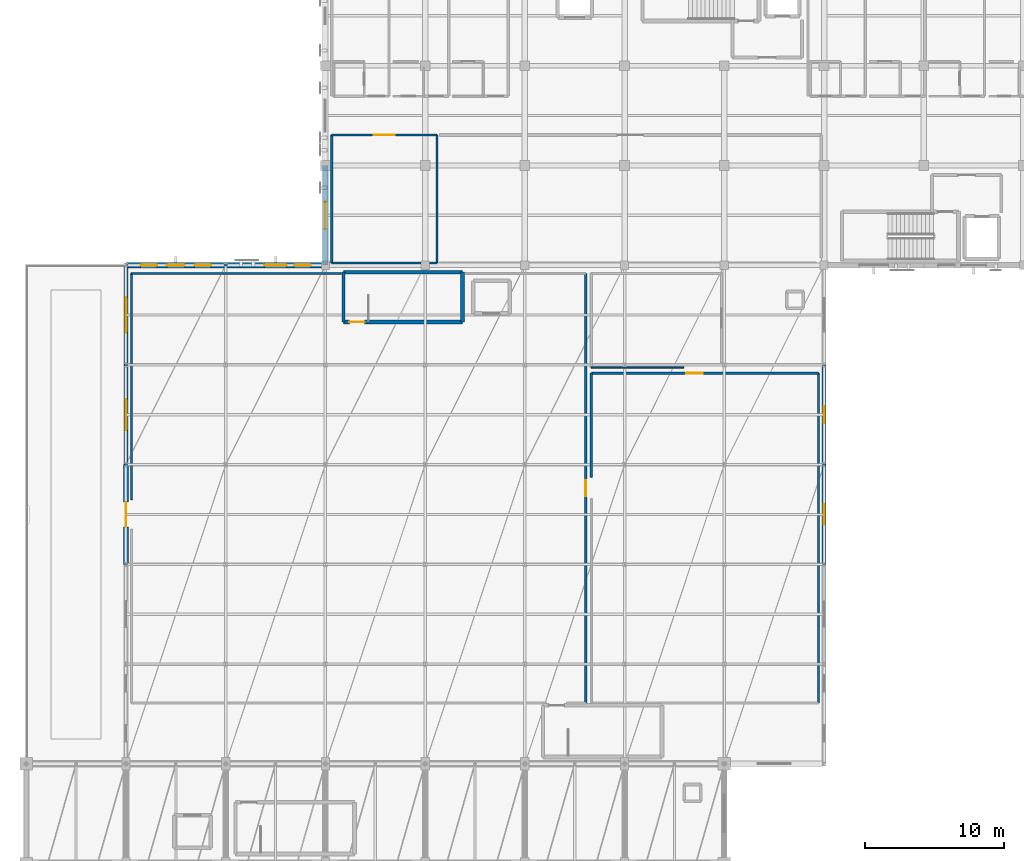
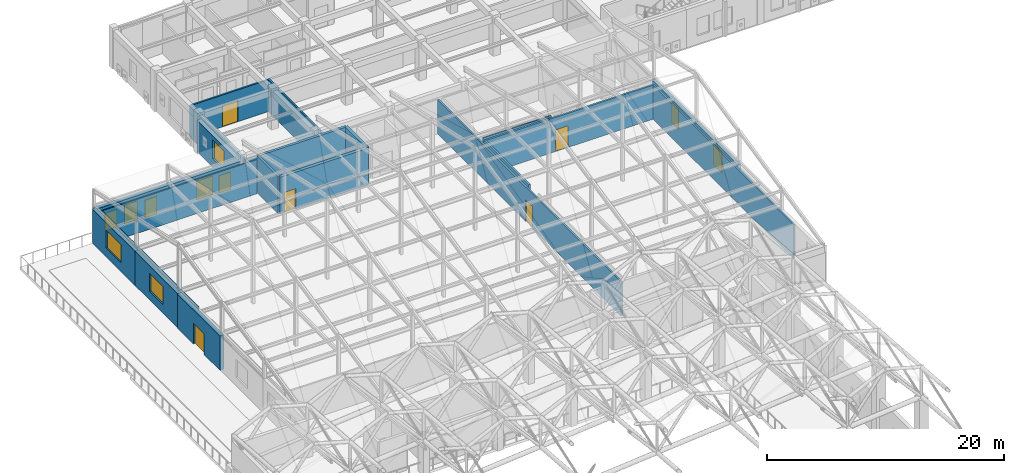
# One storey, part 89 of 113: 23 walls, 10 windows, 5 doors, 15 openings.
"""IFC4 building model written with IfcOpenShell, lengths in metres."""

from ifc_helpers import new_model, si_unit, direction, frame, frame_2d, origin, place, context, subcontext, project, spatial, rectangle, extrude, material, layer, layer_set, type_object, element, fill, save


model = new_model("IFC4")

# Units and contexts
model_context = context("Model", 3, precision=1e-05, world=origin(), true_north=direction((0.0, 1.0)))
body_context = subcontext(model_context, "Body", "Model", "MODEL_VIEW")
ifc_project = project(units=[si_unit("LENGTHUNIT", "METRE"), si_unit("AREAUNIT", "SQUARE_METRE"), si_unit("VOLUMEUNIT", "CUBIC_METRE"), si_unit("PLANEANGLEUNIT", "RADIAN"), si_unit("MASSUNIT", "GRAM", prefix="KILO")], contexts=[model_context])

# Site, building, storey
site_placement = place(None, origin())
site = spatial("IfcSite", under=ifc_project, at=site_placement, CompositionType="ELEMENT")
building_placement = place(site_placement, origin())
building = spatial("IfcBuilding", under=site, at=building_placement, Name="Carrowvane Square Congress Hotel", CompositionType="ELEMENT")
storey_placement = place(building_placement, frame((0.0, 0.0, 15.0)))
storey = spatial("IfcBuildingStorey", under=building, at=storey_placement, Name="L03", CompositionType="ELEMENT", Elevation=15.0)

# Wall, opening, door
ifc_material_1 = material(Name="Portland limestone cladding", Category="masonry")
ifc_layer_1 = layer(ifc_material_1, 0.3798828125)
ifc_layer_set_1 = layer_set([ifc_layer_1], Name="Portland limestone cladding")
wall_type_1 = type_object("IfcWallType", Name="WL-EXT-LS380", PredefinedType="STANDARD", material=ifc_layer_set_1)
wall_1_placement = place(storey_placement, frame((18.800048828125, 70.199951171875, 0.0), z_axis=(0.0, 0.0, 1.0), x_axis=(0.0, 1.0, 0.0)))
wall_1 = element("IfcWall", 1, at=wall_1_placement, inside=storey, type_object=wall_type_1, Name="L03 terrace access wall 346", PredefinedType="STANDARD", context=body_context, shape_type="SweptSolid", body=[
    extrude(rectangle(XDim=7.199951171875, YDim=0.3798828125, at=frame_2d((3.60009765625, 0.0))), origin(), (0.0, 0.0, 1.0), 3.515625),
])
opening_1_placement = place(wall_1_placement, frame((2.699951171875, 0.0, 0.0)))
opening_1 = element("IfcOpeningElement", 2, at=opening_1_placement, cuts=wall_1, Name="Opening TD-1", PredefinedType="OPENING", context=body_context, shape_type="SweptSolid", body=[
    extrude(rectangle(XDim=1.800048828125, YDim=2.14990234375, at=frame_2d((0.89990234375, 1.074951171875))), frame((0.0, 0.199951171875, 0.0), z_axis=(0.0, -1.0, 0.0), x_axis=(1.0, 0.0, 0.0)), (0.0, 0.0, 1.0), 0.39990234375),
])
ifc_material_2 = material(Name="Anodised aluminium", Category="aluminium")
door_type_1 = type_object("IfcDoorType", Name="DR-TER-1800", OperationType="DOUBLE_DOOR_SINGLE_SWING", PredefinedType="DOOR", material=ifc_material_2)
door_1_placement = place(opening_1_placement, origin())
door_1 = element("IfcDoor", 3, at=door_1_placement, inside=storey, type_object=door_type_1, Name="L03 terrace access door to TER-V4-L03", OperationType="DOUBLE_DOOR_SINGLE_SWING", OverallHeight=2.14990234375, OverallWidth=1.800048828125, PredefinedType="DOOR", context=body_context, shape_type="SweptSolid", body=[
    extrude(rectangle(XDim=1.800048828125, YDim=2.14990234375, at=frame_2d((0.89990234375, 1.074951171875))), frame((0.0, 0.02490234375, 0.0), z_axis=(0.0, -1.0, 0.0), x_axis=(1.0, 0.0, 0.0)), (0.0, 0.0, 1.0), 0.050048828125),
])
fill(opening_1, door_1)

# Wall, openings, windows
ifc_material_3 = material(Name="Glazed terracotta rainscreen", Category="masonry")
ifc_layer_2 = layer(ifc_material_3, 0.39990234375)
ifc_layer_set_2 = layer_set([ifc_layer_2], Name="Glazed terracotta rainscreen")
wall_type_2 = type_object("IfcWallType", Name="WL-EXT-TC400", PredefinedType="STANDARD", material=ifc_layer_set_2)
wall_2_placement = place(storey_placement, frame((18.800048828125, 91.800048828125, 0.0), z_axis=(0.0, 0.0, 1.0), x_axis=(1.0, 0.0, 0.0)))
wall_2 = element("IfcWall", 4, at=wall_2_placement, inside=storey, type_object=wall_type_2, Name="L03 exterior facade wall 349", PredefinedType="STANDARD", context=body_context, shape_type="SweptSolid", body=[
    extrude(rectangle(XDim=7.199951171875, YDim=0.39990234375, at=frame_2d((3.60009765625, 0.0))), origin(), (0.0, 0.0, 1.0), 3.515625),
])
opening_2_placement = place(wall_2_placement, frame((2.949951171875, 0.0, 0.89990234375)))
opening_2 = element("IfcOpeningElement", 5, at=opening_2_placement, cuts=wall_2, Name="Opening W-29", PredefinedType="OPENING", context=body_context, shape_type="SweptSolid", body=[
    extrude(rectangle(XDim=1.300048828125, YDim=1.949951171875, at=frame_2d((0.64990234375, 0.97509765625))), frame((0.0, 0.2099609375, 0.0), z_axis=(0.0, -1.0, 0.0), x_axis=(1.0, 0.0, 0.0)), (0.0, 0.0, 1.0), 0.419921875),
])
opening_3_placement = place(wall_2_placement, frame((1.050048828125, 0.0, 0.85009765625)))
opening_3 = element("IfcOpeningElement", 6, at=opening_3_placement, cuts=wall_2, Name="Opening W-01", PredefinedType="OPENING", context=body_context, shape_type="SweptSolid", body=[
    extrude(rectangle(XDim=1.199951171875, YDim=1.800048828125, at=frame_2d((0.60009765625, 0.89990234375))), frame((0.0, 0.2099609375, 0.0), z_axis=(0.0, -1.0, 0.0), x_axis=(1.0, 0.0, 0.0)), (0.0, 0.0, 1.0), 0.419921875),
])
opening_4_placement = place(wall_2_placement, frame((4.949951171875, 0.0, 0.85009765625)))
opening_4 = element("IfcOpeningElement", 7, at=opening_4_placement, cuts=wall_2, Name="Opening W-01", PredefinedType="OPENING", context=body_context, shape_type="SweptSolid", body=[
    extrude(rectangle(XDim=1.199951171875, YDim=1.800048828125, at=frame_2d((0.60009765625, 0.89990234375))), frame((0.0, 0.2099609375, 0.0), z_axis=(0.0, -1.0, 0.0), x_axis=(1.0, 0.0, 0.0)), (0.0, 0.0, 1.0), 0.419921875),
])
ifc_material_4 = material(Name="Double-glazed low-E glass", Category="glass")
window_type_1 = type_object("IfcWindowType", Name="WIN-01", PartitioningType="SINGLE_PANEL", PredefinedType="WINDOW", material=ifc_material_4)
window_1_placement = place(opening_3_placement, origin())
window_1 = element("IfcWindow", 8, at=window_1_placement, inside=storey, type_object=window_type_1, Name="L03 guest bedroom window 170", OverallHeight=1.800048828125, OverallWidth=1.199951171875, PartitioningType="SINGLE_PANEL", PredefinedType="WINDOW", context=body_context, shape_type="SweptSolid", body=[
    extrude(rectangle(XDim=1.199951171875, YDim=1.800048828125, at=frame_2d((0.60009765625, 0.89990234375))), frame((0.0, 0.030029296875, 0.0), z_axis=(0.0, -1.0, 0.0), x_axis=(1.0, 0.0, 0.0)), (0.0, 0.0, 1.0), 0.06005859375),
])
fill(opening_3, window_1)
window_2_placement = place(opening_4_placement, origin())
window_2 = element("IfcWindow", 9, at=window_2_placement, inside=storey, type_object=window_type_1, Name="L03 guest bedroom window 171", OverallHeight=1.800048828125, OverallWidth=1.199951171875, PartitioningType="SINGLE_PANEL", PredefinedType="WINDOW", context=body_context, shape_type="SweptSolid", body=[
    extrude(rectangle(XDim=1.199951171875, YDim=1.800048828125, at=frame_2d((0.60009765625, 0.89990234375))), frame((0.0, 0.030029296875, 0.0), z_axis=(0.0, -1.0, 0.0), x_axis=(1.0, 0.0, 0.0)), (0.0, 0.0, 1.0), 0.06005859375),
])
fill(opening_4, window_2)
ifc_material_5 = material(Name="Double-glazed low-E glass", Category="glass")
window_type_2 = type_object("IfcWindowType", Name="WIN-29", PartitioningType="SINGLE_PANEL", PredefinedType="WINDOW", material=ifc_material_5)
window_3_placement = place(opening_2_placement, origin())
window_3 = element("IfcWindow", 10, at=window_3_placement, inside=storey, type_object=window_type_2, Name="L03 facade window 169", OverallHeight=1.949951171875, OverallWidth=1.300048828125, PartitioningType="SINGLE_PANEL", PredefinedType="WINDOW", context=body_context, shape_type="SweptSolid", body=[
    extrude(rectangle(XDim=1.300048828125, YDim=1.949951171875, at=frame_2d((0.64990234375, 0.97509765625))), frame((0.0, 0.030029296875, 0.0), z_axis=(0.0, -1.0, 0.0), x_axis=(1.0, 0.0, 0.0)), (0.0, 0.0, 1.0), 0.06005859375),
])
fill(opening_2, window_3)

wall_3_placement = place(storey_placement, frame((26.0, 91.800048828125, 0.0), z_axis=(0.0, 0.0, 1.0), x_axis=(1.0, 0.0, 0.0)))
wall_3 = element("IfcWall", 11, at=wall_3_placement, inside=storey, type_object=wall_type_2, Name="L03 exterior facade wall 350", PredefinedType="STANDARD", context=body_context, shape_type="SweptSolid", body=[
    extrude(rectangle(XDim=7.199951171875, YDim=0.39990234375, at=frame_2d((3.60009765625, 0.0))), origin(), (0.0, 0.0, 1.0), 3.515625),
])
opening_5_placement = place(wall_3_placement, frame((2.800048828125, 0.0, 0.89990234375)))
opening_5 = element("IfcOpeningElement", 12, at=opening_5_placement, cuts=wall_3, Name="Opening W-30", PredefinedType="OPENING", context=body_context, shape_type="SweptSolid", body=[
    extrude(rectangle(XDim=1.60009765625, YDim=1.949951171875, at=frame_2d((0.800048828125, 0.97509765625))), frame((0.0, 0.2099609375, 0.0), z_axis=(0.0, -1.0, 0.0), x_axis=(1.0, 0.0, 0.0)), (0.0, 0.0, 1.0), 0.419921875),
])
opening_6_placement = place(wall_3_placement, frame((4.949951171875, 0.0, 0.85009765625)))
opening_6 = element("IfcOpeningElement", 13, at=opening_6_placement, cuts=wall_3, Name="Opening W-01", PredefinedType="OPENING", context=body_context, shape_type="SweptSolid", body=[
    extrude(rectangle(XDim=1.199951171875, YDim=1.800048828125, at=frame_2d((0.60009765625, 0.89990234375))), frame((0.0, 0.2099609375, 0.0), z_axis=(0.0, -1.0, 0.0), x_axis=(1.0, 0.0, 0.0)), (0.0, 0.0, 1.0), 0.419921875),
])
window_4_placement = place(opening_6_placement, origin())
window_4 = element("IfcWindow", 14, at=window_4_placement, inside=storey, type_object=window_type_1, Name="L03 guest bedroom window 173", OverallHeight=1.800048828125, OverallWidth=1.199951171875, PartitioningType="SINGLE_PANEL", PredefinedType="WINDOW", context=body_context, shape_type="SweptSolid", body=[
    extrude(rectangle(XDim=1.199951171875, YDim=1.800048828125, at=frame_2d((0.60009765625, 0.89990234375))), frame((0.0, 0.030029296875, 0.0), z_axis=(0.0, -1.0, 0.0), x_axis=(1.0, 0.0, 0.0)), (0.0, 0.0, 1.0), 0.06005859375),
])
fill(opening_6, window_4)
ifc_material_6 = material(Name="Double-glazed low-E glass", Category="glass")
window_type_3 = type_object("IfcWindowType", Name="WIN-30", PartitioningType="SINGLE_PANEL", PredefinedType="WINDOW", material=ifc_material_6)
window_5_placement = place(opening_5_placement, origin())
window_5 = element("IfcWindow", 15, at=window_5_placement, inside=storey, type_object=window_type_3, Name="L03 facade window 172", OverallHeight=1.949951171875, OverallWidth=1.60009765625, PartitioningType="SINGLE_PANEL", PredefinedType="WINDOW", context=body_context, shape_type="SweptSolid", body=[
    extrude(rectangle(XDim=1.60009765625, YDim=1.949951171875, at=frame_2d((0.800048828125, 0.97509765625))), frame((0.0, 0.030029296875, 0.0), z_axis=(0.0, -1.0, 0.0), x_axis=(1.0, 0.0, 0.0)), (0.0, 0.0, 1.0), 0.06005859375),
])
fill(opening_5, window_5)

# Wall, opening, window
wall_4_placement = place(storey_placement, frame((33.199951171875, 91.800048828125, 0.0), z_axis=(0.0, 0.0, 1.0), x_axis=(0.0, 1.0, 0.0)))
wall_4 = element("IfcWall", 16, at=wall_4_placement, inside=storey, type_object=wall_type_2, Name="L03 exterior facade wall 351", PredefinedType="STANDARD", context=body_context, shape_type="SweptSolid", body=[
    extrude(rectangle(XDim=7.199951171875, YDim=0.39990234375, at=frame_2d((3.60009765625, 0.0))), origin(), (0.0, 0.0, 1.0), 3.27490234375),
])
opening_7_placement = place(wall_4_placement, frame((2.625, 0.0, 0.89990234375)))
opening_7 = element("IfcOpeningElement", 17, at=opening_7_placement, cuts=wall_4, Name="Opening W-31", PredefinedType="OPENING", context=body_context, shape_type="SweptSolid", body=[
    extrude(rectangle(XDim=1.949951171875, YDim=1.949951171875, at=frame_2d((0.97509765625, 0.97509765625))), frame((0.0, 0.2099609375, 0.0), z_axis=(0.0, -1.0, 0.0), x_axis=(1.0, 0.0, 0.0)), (0.0, 0.0, 1.0), 0.419921875),
])
ifc_material_7 = material(Name="Double-glazed low-E glass", Category="glass")
window_type_4 = type_object("IfcWindowType", Name="WIN-31", PartitioningType="SINGLE_PANEL", PredefinedType="WINDOW", material=ifc_material_7)
window_6_placement = place(opening_7_placement, origin())
window_6 = element("IfcWindow", 18, at=window_6_placement, inside=storey, type_object=window_type_4, Name="L03 facade window 174", OverallHeight=1.949951171875, OverallWidth=1.949951171875, PartitioningType="SINGLE_PANEL", PredefinedType="WINDOW", context=body_context, shape_type="SweptSolid", body=[
    extrude(rectangle(XDim=1.949951171875, YDim=1.949951171875, at=frame_2d((0.97509765625, 0.97509765625))), frame((0.0, 0.030029296875, 0.0), z_axis=(0.0, -1.0, 0.0), x_axis=(1.0, 0.0, 0.0)), (0.0, 0.0, 1.0), 0.06005859375),
])
fill(opening_7, window_6)

ifc_material_8 = material(Name="Standing-seam zinc cladding", Category="metal")
ifc_layer_3 = layer(ifc_material_8, 0.31005859375)
ifc_layer_set_3 = layer_set([ifc_layer_3], Name="Standing-seam zinc cladding")
wall_type_3 = type_object("IfcWallType", Name="WL-EXT-ZN310", PredefinedType="STANDARD", material=ifc_layer_set_3)
wall_5_placement = place(storey_placement, frame((18.800048828125, 77.39990234375, 0.0), z_axis=(0.0, 0.0, 1.0), x_axis=(0.0, 1.0, 0.0)))
wall_5 = element("IfcWall", 19, at=wall_5_placement, inside=storey, type_object=wall_type_3, Name="L03 exterior facade wall 347", PredefinedType="STANDARD", context=body_context, shape_type="SweptSolid", body=[
    extrude(rectangle(XDim=7.2001953125, YDim=0.31005859375, at=frame_2d((3.60009765625, 0.0))), origin(), (0.0, 0.0, 1.0), 3.515625),
])
opening_8_placement = place(wall_5_placement, frame((2.47509765625, 0.0, 0.89990234375)))
opening_8 = element("IfcOpeningElement", 20, at=opening_8_placement, cuts=wall_5, Name="Opening W-27", PredefinedType="OPENING", context=body_context, shape_type="SweptSolid", body=[
    extrude(rectangle(XDim=2.25, YDim=1.85009765625, at=frame_2d((1.125, 0.925048828125))), frame((0.0, 0.1650390625, 0.0), z_axis=(0.0, -1.0, 0.0), x_axis=(1.0, 0.0, 0.0)), (0.0, 0.0, 1.0), 0.330078125),
])
ifc_material_9 = material(Name="Double-glazed low-E glass", Category="glass")
window_type_5 = type_object("IfcWindowType", Name="WIN-27", PartitioningType="SINGLE_PANEL", PredefinedType="WINDOW", material=ifc_material_9)
window_7_placement = place(opening_8_placement, origin())
window_7 = element("IfcWindow", 21, at=window_7_placement, inside=storey, type_object=window_type_5, Name="L03 facade window 167", OverallHeight=1.85009765625, OverallWidth=2.25, PartitioningType="SINGLE_PANEL", PredefinedType="WINDOW", context=body_context, shape_type="SweptSolid", body=[
    extrude(rectangle(XDim=2.25, YDim=1.85009765625, at=frame_2d((1.125, 0.925048828125))), frame((0.0, 0.030029296875, 0.0), z_axis=(0.0, -1.0, 0.0), x_axis=(1.0, 0.0, 0.0)), (0.0, 0.0, 1.0), 0.06005859375),
])
fill(opening_8, window_7)

wall_6_placement = place(storey_placement, frame((18.800048828125, 84.60009765625, 0.0), z_axis=(0.0, 0.0, 1.0), x_axis=(0.0, 1.0, 0.0)))
wall_6 = element("IfcWall", 22, at=wall_6_placement, inside=storey, type_object=wall_type_3, Name="L03 exterior facade wall 348", PredefinedType="STANDARD", context=body_context, shape_type="SweptSolid", body=[
    extrude(rectangle(XDim=7.199951171875, YDim=0.31005859375, at=frame_2d((3.60009765625, 0.0))), origin(), (0.0, 0.0, 1.0), 3.515625),
])
opening_9_placement = place(wall_6_placement, frame((2.324951171875, 0.0, 0.89990234375)))
opening_9 = element("IfcOpeningElement", 23, at=opening_9_placement, cuts=wall_6, Name="Opening W-28", PredefinedType="OPENING", context=body_context, shape_type="SweptSolid", body=[
    extrude(rectangle(XDim=2.550048828125, YDim=1.85009765625, at=frame_2d((1.27490234375, 0.925048828125))), frame((0.0, 0.1650390625, 0.0), z_axis=(0.0, -1.0, 0.0), x_axis=(1.0, 0.0, 0.0)), (0.0, 0.0, 1.0), 0.330078125),
])
ifc_material_10 = material(Name="Double-glazed low-E glass", Category="glass")
window_type_6 = type_object("IfcWindowType", Name="WIN-28", PartitioningType="SINGLE_PANEL", PredefinedType="WINDOW", material=ifc_material_10)
window_8_placement = place(opening_9_placement, origin())
window_8 = element("IfcWindow", 24, at=window_8_placement, inside=storey, type_object=window_type_6, Name="L03 facade window 168", OverallHeight=1.85009765625, OverallWidth=2.550048828125, PartitioningType="SINGLE_PANEL", PredefinedType="WINDOW", context=body_context, shape_type="SweptSolid", body=[
    extrude(rectangle(XDim=2.550048828125, YDim=1.85009765625, at=frame_2d((1.27490234375, 0.925048828125))), frame((0.0, 0.030029296875, 0.0), z_axis=(0.0, -1.0, 0.0), x_axis=(1.0, 0.0, 0.0)), (0.0, 0.0, 1.0), 0.06005859375),
])
fill(opening_9, window_8)

wall_7_placement = place(storey_placement, frame((69.199951171875, 84.60009765625, 0.0), z_axis=(0.0, 0.0, 1.0), x_axis=(0.0, -1.0, 0.0)))
wall_7 = element("IfcWall", 25, at=wall_7_placement, inside=storey, type_object=wall_type_3, Name="L03 exterior facade wall 400", PredefinedType="STANDARD", context=body_context, shape_type="SweptSolid", body=[
    extrude(rectangle(XDim=7.2001953125, YDim=0.31005859375, at=frame_2d((3.60009765625, 0.0))), origin(), (0.0, 0.0, 1.0), 3.515625),
])
opening_10_placement = place(wall_7_placement, frame((3.0, 0.0, 0.89990234375)))
opening_10 = element("IfcOpeningElement", 26, at=opening_10_placement, cuts=wall_7, Name="Opening W-08", PredefinedType="OPENING", context=body_context, shape_type="SweptSolid", body=[
    extrude(rectangle(XDim=1.199951171875, YDim=2.10009765625, at=frame_2d((0.60009765625, 1.050048828125))), frame((0.0, 0.1650390625, 0.0), z_axis=(0.0, -1.0, 0.0), x_axis=(1.0, 0.0, 0.0)), (0.0, 0.0, 1.0), 0.330078125),
])
ifc_material_11 = material(Name="Double-glazed low-E glass", Category="glass")
window_type_7 = type_object("IfcWindowType", Name="WIN-08", PartitioningType="SINGLE_PANEL", PredefinedType="WINDOW", material=ifc_material_11)
window_9_placement = place(opening_10_placement, origin())
window_9 = element("IfcWindow", 27, at=window_9_placement, inside=storey, type_object=window_type_7, Name="L03 facade window 232", OverallHeight=2.10009765625, OverallWidth=1.199951171875, PartitioningType="SINGLE_PANEL", PredefinedType="WINDOW", context=body_context, shape_type="SweptSolid", body=[
    extrude(rectangle(XDim=1.199951171875, YDim=2.10009765625, at=frame_2d((0.60009765625, 1.050048828125))), frame((0.0, 0.030029296875, 0.0), z_axis=(0.0, -1.0, 0.0), x_axis=(1.0, 0.0, 0.0)), (0.0, 0.0, 1.0), 0.06005859375),
])
fill(opening_10, window_9)

wall_8_placement = place(storey_placement, frame((69.199951171875, 77.39990234375, 0.0), z_axis=(0.0, 0.0, 1.0), x_axis=(0.0, -1.0, 0.0)))
wall_8 = element("IfcWall", 28, at=wall_8_placement, inside=storey, type_object=wall_type_3, Name="L03 exterior facade wall 401", PredefinedType="STANDARD", context=body_context, shape_type="SweptSolid", body=[
    extrude(rectangle(XDim=7.199951171875, YDim=0.31005859375, at=frame_2d((3.60009765625, 0.0))), origin(), (0.0, 0.0, 1.0), 3.515625),
])
opening_11_placement = place(wall_8_placement, frame((2.85009765625, 0.0, 0.89990234375)))
opening_11 = element("IfcOpeningElement", 29, at=opening_11_placement, cuts=wall_8, Name="Opening W-09", PredefinedType="OPENING", context=body_context, shape_type="SweptSolid", body=[
    extrude(rectangle(XDim=1.5, YDim=2.10009765625, at=frame_2d((0.75, 1.050048828125))), frame((0.0, 0.1650390625, 0.0), z_axis=(0.0, -1.0, 0.0), x_axis=(1.0, 0.0, 0.0)), (0.0, 0.0, 1.0), 0.330078125),
])
ifc_material_12 = material(Name="Double-glazed low-E glass", Category="glass")
window_type_8 = type_object("IfcWindowType", Name="WIN-09", PartitioningType="SINGLE_PANEL", PredefinedType="WINDOW", material=ifc_material_12)
window_10_placement = place(opening_11_placement, origin())
window_10 = element("IfcWindow", 30, at=window_10_placement, inside=storey, type_object=window_type_8, Name="L03 facade window 233", OverallHeight=2.10009765625, OverallWidth=1.5, PartitioningType="SINGLE_PANEL", PredefinedType="WINDOW", context=body_context, shape_type="SweptSolid", body=[
    extrude(rectangle(XDim=1.5, YDim=2.10009765625, at=frame_2d((0.75, 1.050048828125))), frame((0.0, 0.030029296875, 0.0), z_axis=(0.0, -1.0, 0.0), x_axis=(1.0, 0.0, 0.0)), (0.0, 0.0, 1.0), 0.06005859375),
])
fill(opening_11, window_10)

# Walls
ifc_material_13 = material(Name="Acoustic gypsum board", Category="gypsum")
ifc_layer_4 = layer(ifc_material_13, 0.155029296875)
ifc_layer_set_4 = layer_set([ifc_layer_4], Name="Acoustic gypsum board")
wall_type_4 = type_object("IfcWallType", Name="WL-FIR-155", PredefinedType="PARTITIONING", material=ifc_layer_set_4)
wall_9_placement = place(storey_placement, frame((41.25, 101.199951171875, 0.0), z_axis=(0.0, 0.0, 1.0), x_axis=(0.0, -1.0, 0.0)))
element("IfcWall", 31, at=wall_9_placement, inside=storey, type_object=wall_type_4, Name="L03 L03 Club Library Salon partition", PredefinedType="PARTITIONING", context=body_context, shape_type="SweptSolid", body=[
    extrude(rectangle(XDim=9.239990234375, YDim=0.155029296875, at=frame_2d((4.6201171875, 0.0))), origin(), (0.0, 0.0, 1.0), 3.324951171875),
])
wall_10_placement = place(storey_placement, frame((68.800048828125, 84.0, 0.0), z_axis=(0.0, 0.0, 1.0), x_axis=(0.0, -1.0, 0.0)))
element("IfcWall", 32, at=wall_10_placement, inside=storey, type_object=wall_type_4, Name="L03 Herbal Infusion Tea Salon partition", PredefinedType="PARTITIONING", context=body_context, shape_type="SweptSolid", body=[
    extrude(rectangle(XDim=23.800048828125, YDim=0.155029296875, at=frame_2d((11.89990234375, 0.0))), origin(), (0.0, 0.0, 1.0), 3.515625),
])

# Wall, opening, door
ifc_material_14 = material(Name="Acoustic gypsum board", Category="gypsum")
ifc_layer_5 = layer(ifc_material_14, 0.169921875)
ifc_layer_set_5 = layer_set([ifc_layer_5], Name="Acoustic gypsum board")
wall_type_5 = type_object("IfcWallType", Name="WL-FIR-170", PredefinedType="PARTITIONING", material=ifc_layer_set_5)
wall_11_placement = place(storey_placement, frame((33.64990234375, 101.199951171875, 0.0), z_axis=(0.0, 0.0, 1.0), x_axis=(1.0, 0.0, 0.0)))
wall_11 = element("IfcWall", 33, at=wall_11_placement, inside=storey, type_object=wall_type_5, Name="L03 L03 Club Library Salon partition", PredefinedType="PARTITIONING", context=body_context, shape_type="SweptSolid", body=[
    extrude(rectangle(XDim=7.60009765625, YDim=0.169921875, at=frame_2d((3.800048828125, 0.0))), origin(), (0.0, 0.0, 1.0), 3.27490234375),
])
opening_12_placement = place(wall_11_placement, frame((3.050048828125, 0.0, 0.0)))
opening_12 = element("IfcOpeningElement", 34, at=opening_12_placement, cuts=wall_11, Name="Opening ID-11", PredefinedType="OPENING", context=body_context, shape_type="SweptSolid", body=[
    extrude(rectangle(XDim=1.5, YDim=2.199951171875, at=frame_2d((0.75, 1.10009765625))), frame((0.0, 0.094970703125, 0.0), z_axis=(0.0, -1.0, 0.0), x_axis=(1.0, 0.0, 0.0)), (0.0, 0.0, 1.0), 0.18994140625),
])
ifc_material_15 = material(Name="European oak timber", Category="wood")
door_type_2 = type_object("IfcDoorType", Name="DR-INT-1500x2200", OperationType="DOUBLE_DOOR_SINGLE_SWING", PredefinedType="DOOR", material=ifc_material_15)
door_2_placement = place(opening_12_placement, origin())
door_2 = element("IfcDoor", 35, at=door_2_placement, inside=storey, type_object=door_type_2, Name="L03 L03 Club Library Salon entrance door", OperationType="DOUBLE_DOOR_SINGLE_SWING", OverallHeight=2.199951171875, OverallWidth=1.5, PredefinedType="DOOR", context=body_context, shape_type="SweptSolid", body=[
    extrude(rectangle(XDim=1.5, YDim=2.199951171875, at=frame_2d((0.75, 1.10009765625))), frame((0.0, 0.02490234375, 0.0), z_axis=(0.0, -1.0, 0.0), x_axis=(1.0, 0.0, 0.0)), (0.0, 0.0, 1.0), 0.050048828125),
])
fill(opening_12, door_2)

wall_12_placement = place(storey_placement, frame((52.0, 91.199951171875, 0.0), z_axis=(0.0, 0.0, 1.0), x_axis=(0.0, -1.0, 0.0)))
wall_12 = element("IfcWall", 36, at=wall_12_placement, inside=storey, type_object=wall_type_5, Name="L03 Botanical Thermal Conservatory Lounge partition", PredefinedType="PARTITIONING", context=body_context, shape_type="SweptSolid", body=[
    extrude(rectangle(XDim=31.0, YDim=0.169921875, at=frame_2d((15.5, 0.0))), origin(), (0.0, 0.0, 1.0), 3.515625),
])
opening_13_placement = place(wall_12_placement, frame((14.909912109375, 0.0, 0.0)))
opening_13 = element("IfcOpeningElement", 37, at=opening_13_placement, cuts=wall_12, Name="Opening ID-23", PredefinedType="OPENING", context=body_context, shape_type="SweptSolid", body=[
    extrude(rectangle(XDim=1.179931640625, YDim=2.219970703125, at=frame_2d((0.58984375, 1.10986328125))), frame((0.0, 0.094970703125, 0.0), z_axis=(0.0, -1.0, 0.0), x_axis=(1.0, 0.0, 0.0)), (0.0, 0.0, 1.0), 0.18994140625),
])
ifc_material_16 = material(Name="European oak timber", Category="wood")
door_type_3 = type_object("IfcDoorType", Name="DR-INT-1180x2220", OperationType="NOTDEFINED", PredefinedType="DOOR", material=ifc_material_16)
door_3_placement = place(opening_13_placement, origin())
door_3 = element("IfcDoor", 38, at=door_3_placement, inside=storey, type_object=door_type_3, Name="L03 Botanical Thermal Conservatory Lounge entrance door", OperationType="SINGLE_SWING_LEFT", OverallHeight=2.219970703125, OverallWidth=1.179931640625, PredefinedType="DOOR", context=body_context, shape_type="SweptSolid", body=[
    extrude(rectangle(XDim=1.179931640625, YDim=2.219970703125, at=frame_2d((0.58984375, 1.10986328125))), frame((0.0, 0.02490234375, 0.0), z_axis=(0.0, -1.0, 0.0), x_axis=(1.0, 0.0, 0.0)), (0.0, 0.0, 1.0), 0.050048828125),
])
fill(opening_13, door_3)

wall_13_placement = place(storey_placement, frame((52.39990234375, 84.0, 0.0), z_axis=(0.0, 0.0, 1.0), x_axis=(1.0, 0.0, 0.0)))
wall_13 = element("IfcWall", 39, at=wall_13_placement, inside=storey, type_object=wall_type_5, Name="L03 Herbal Infusion Tea Salon partition", PredefinedType="PARTITIONING", context=body_context, shape_type="SweptSolid", body=[
    extrude(rectangle(XDim=16.400146484375, YDim=0.169921875, at=frame_2d((8.2001953125, 0.0))), origin(), (0.0, 0.0, 1.0), 3.515625),
])
opening_14_placement = place(wall_13_placement, frame((6.840087890625, 0.0, 0.0)))
opening_14 = element("IfcOpeningElement", 40, at=opening_14_placement, cuts=wall_13, Name="Opening ID-24", PredefinedType="OPENING", context=body_context, shape_type="SweptSolid", body=[
    extrude(rectangle(XDim=1.219970703125, YDim=2.239990234375, at=frame_2d((0.60986328125, 1.1201171875))), frame((0.0, 0.094970703125, 0.0), z_axis=(0.0, -1.0, 0.0), x_axis=(1.0, 0.0, 0.0)), (0.0, 0.0, 1.0), 0.18994140625),
])
ifc_material_17 = material(Name="European oak timber", Category="wood")
door_type_4 = type_object("IfcDoorType", Name="DR-INT-1220x2240", OperationType="NOTDEFINED", PredefinedType="DOOR", material=ifc_material_17)
door_4_placement = place(opening_14_placement, origin())
door_4 = element("IfcDoor", 41, at=door_4_placement, inside=storey, type_object=door_type_4, Name="L03 Herbal Infusion Tea Salon entrance door", OperationType="SINGLE_SWING_RIGHT", OverallHeight=2.239990234375, OverallWidth=1.219970703125, PredefinedType="DOOR", context=body_context, shape_type="SweptSolid", body=[
    extrude(rectangle(XDim=1.219970703125, YDim=2.239990234375, at=frame_2d((0.60986328125, 1.1201171875))), frame((0.0, 0.02490234375, 0.0), z_axis=(0.0, -1.0, 0.0), x_axis=(1.0, 0.0, 0.0)), (0.0, 0.0, 1.0), 0.050048828125),
])
fill(opening_14, door_4)

# Walls
ifc_material_18 = material(Name="Acoustic gypsum board", Category="gypsum")
ifc_layer_6 = layer(ifc_material_18, 0.18505859375)
ifc_layer_set_6 = layer_set([ifc_layer_6], Name="Acoustic gypsum board")
wall_type_6 = type_object("IfcWallType", Name="WL-FIR-185", PredefinedType="PARTITIONING", material=ifc_layer_set_6)
wall_14_placement = place(storey_placement, frame((33.64990234375, 91.9599609375, 0.0), z_axis=(0.0, 0.0, 1.0), x_axis=(0.0, 1.0, 0.0)))
element("IfcWall", 42, at=wall_14_placement, inside=storey, type_object=wall_type_6, Name="L03 L03 Club Library Salon partition", PredefinedType="PARTITIONING", context=body_context, shape_type="SweptSolid", body=[
    extrude(rectangle(XDim=9.239990234375, YDim=0.18505859375, at=frame_2d((4.6201171875, 0.0))), origin(), (0.0, 0.0, 1.0), 3.324951171875),
])
wall_15_placement = place(storey_placement, frame((52.39990234375, 76.469970703125, 0.0), z_axis=(0.0, 0.0, 1.0), x_axis=(0.0, 1.0, 0.0)))
element("IfcWall", 43, at=wall_15_placement, inside=storey, type_object=wall_type_6, Name="L03 Herbal Infusion Tea Salon partition", PredefinedType="PARTITIONING", context=body_context, shape_type="SweptSolid", body=[
    extrude(rectangle(XDim=7.530029296875, YDim=0.18505859375, at=frame_2d((3.76513671875, 0.0))), origin(), (0.0, 0.0, 1.0), 3.515625),
])
ifc_material_19 = material(Name="Acoustic gypsum board", Category="gypsum")
ifc_layer_7 = layer(ifc_material_19, 0.10791015625)
ifc_layer_set_7 = layer_set([ifc_layer_7], Name="Acoustic gypsum board")
wall_type_7 = type_object("IfcWallType", Name="WL-PRT-108", PredefinedType="PARTITIONING", material=ifc_layer_set_7)
wall_16_placement = place(storey_placement, frame((59.06005859375, 84.39990234375, 0.0), z_axis=(0.0, 0.0, 1.0), x_axis=(-1.0, 0.0, 0.0)))
element("IfcWall", 44, at=wall_16_placement, inside=storey, type_object=wall_type_7, Name="L03 Conservatory Accessible WC partition", PredefinedType="PARTITIONING", context=body_context, shape_type="SweptSolid", body=[
    extrude(rectangle(XDim=6.66015625, YDim=0.10791015625, at=frame_2d((3.330078125, 0.0))), origin(), (0.0, 0.0, 1.0), 3.515625),
])
ifc_material_20 = material(Name="Acoustic gypsum board", Category="gypsum")
ifc_layer_8 = layer(ifc_material_20, 0.117919921875)
ifc_layer_set_8 = layer_set([ifc_layer_8], Name="Acoustic gypsum board")
wall_type_8 = type_object("IfcWallType", Name="WL-PRT-118", PredefinedType="PARTITIONING", material=ifc_layer_set_8)
wall_17_placement = place(storey_placement, frame((19.199951171875, 91.199951171875, 0.0), z_axis=(0.0, 0.0, 1.0), x_axis=(1.0, 0.0, 0.0)))
element("IfcWall", 45, at=wall_17_placement, inside=storey, type_object=wall_type_8, Name="L03 Botanical Thermal Conservatory Lounge partition", PredefinedType="PARTITIONING", context=body_context, shape_type="SweptSolid", body=[
    extrude(rectangle(XDim=15.130126953125, YDim=0.117919921875, at=frame_2d((7.56494140625, 0.0))), origin(), (0.0, 0.0, 1.0), 3.515625),
])
ifc_material_21 = material(Name="Acoustic gypsum board", Category="gypsum")
ifc_layer_9 = layer(ifc_material_21, 0.1279296875)
ifc_layer_set_9 = layer_set([ifc_layer_9], Name="Acoustic gypsum board")
wall_type_9 = type_object("IfcWallType", Name="WL-PRT-128", PredefinedType="PARTITIONING", material=ifc_layer_set_9)
wall_18_placement = place(storey_placement, frame((19.199951171875, 74.8798828125, 0.0), z_axis=(0.0, 0.0, 1.0), x_axis=(0.0, 1.0, 0.0)))
element("IfcWall", 46, at=wall_18_placement, inside=storey, type_object=wall_type_9, Name="L03 Botanical Thermal Conservatory Lounge partition", PredefinedType="PARTITIONING", context=body_context, shape_type="SweptSolid", body=[
    extrude(rectangle(XDim=16.320068359375, YDim=0.1279296875, at=frame_2d((8.16015625, 0.0))), origin(), (0.0, 0.0, 1.0), 3.515625),
])
ifc_material_22 = material(Name="Acoustic gypsum board", Category="gypsum")
ifc_layer_10 = layer(ifc_material_22, 0.14794921875)
ifc_layer_set_10 = layer_set([ifc_layer_10], Name="Acoustic gypsum board")
wall_type_10 = type_object("IfcWallType", Name="WL-PRT-148", PredefinedType="PARTITIONING", material=ifc_layer_set_10)
wall_19_placement = place(storey_placement, frame((41.25, 91.9599609375, 0.0), z_axis=(0.0, 0.0, 1.0), x_axis=(-1.0, 0.0, 0.0)))
element("IfcWall", 47, at=wall_19_placement, inside=storey, type_object=wall_type_10, Name="L03 L03 Club Library Salon partition", PredefinedType="PARTITIONING", context=body_context, shape_type="SweptSolid", body=[
    extrude(rectangle(XDim=7.60009765625, YDim=0.14794921875, at=frame_2d((3.800048828125, 0.0))), origin(), (0.0, 0.0, 1.0), 3.324951171875),
])
ifc_material_23 = material(Name="Concrete C40/50", Category="concrete")
ifc_layer_11 = layer(ifc_material_23, 0.22509765625)
ifc_layer_set_11 = layer_set([ifc_layer_11], Name="Concrete C40/50")
wall_type_11 = type_object("IfcWallType", Name="WL-SHR-225", PredefinedType="SHEAR", material=ifc_layer_set_11)
wall_20_placement = place(storey_placement, frame((34.5, 91.300048828125, 0.0), z_axis=(0.0, 0.0, 1.0), x_axis=(0.0, -1.0, 0.0)))
element("IfcWall", 48, at=wall_20_placement, inside=storey, type_object=wall_type_11, Name="L03 ST5 core wall west", PredefinedType="SHEAR", context=body_context, shape_type="SweptSolid", body=[
    extrude(rectangle(XDim=3.60009765625, YDim=0.22509765625, at=frame_2d((1.800048828125, 0.0))), origin(), (0.0, 0.0, 1.0), 3.800048828125),
])
ifc_material_24 = material(Name="Concrete C40/50", Category="concrete")
ifc_layer_12 = layer(ifc_material_24, 0.25)
ifc_layer_set_12 = layer_set([ifc_layer_12], Name="Concrete C40/50")
wall_type_12 = type_object("IfcWallType", Name="WL-SHR-250", PredefinedType="SHEAR", material=ifc_layer_set_12)
wall_21_placement = place(storey_placement, frame((43.10009765625, 91.300048828125, 0.0), z_axis=(0.0, 0.0, 1.0), x_axis=(-1.0, 0.0, 0.0)))
element("IfcWall", 49, at=wall_21_placement, inside=storey, type_object=wall_type_12, Name="L03 ST5 core wall north", PredefinedType="SHEAR", context=body_context, shape_type="SweptSolid", body=[
    extrude(rectangle(XDim=8.60009765625, YDim=0.25, at=frame_2d((4.300048828125, 0.0))), origin(), (0.0, 0.0, 1.0), 3.800048828125),
])
ifc_material_25 = material(Name="Concrete C40/50", Category="concrete")
ifc_layer_13 = layer(ifc_material_25, 0.27490234375)
ifc_layer_set_13 = layer_set([ifc_layer_13], Name="Concrete C40/50")
wall_type_13 = type_object("IfcWallType", Name="WL-SHR-275", PredefinedType="SHEAR", material=ifc_layer_set_13)
wall_22_placement = place(storey_placement, frame((43.10009765625, 87.699951171875, 0.0), z_axis=(0.0, 0.0, 1.0), x_axis=(0.0, 1.0, 0.0)))
element("IfcWall", 50, at=wall_22_placement, inside=storey, type_object=wall_type_13, Name="L03 ST5 core wall east", PredefinedType="SHEAR", context=body_context, shape_type="SweptSolid", body=[
    extrude(rectangle(XDim=3.60009765625, YDim=0.27490234375, at=frame_2d((1.800048828125, 0.0))), origin(), (0.0, 0.0, 1.0), 3.800048828125),
])

# Wall, opening, door
ifc_material_26 = material(Name="Concrete C40/50", Category="concrete")
ifc_layer_14 = layer(ifc_material_26, 0.300048828125)
ifc_layer_set_14 = layer_set([ifc_layer_14], Name="Concrete C40/50")
wall_type_14 = type_object("IfcWallType", Name="WL-SHR-300", PredefinedType="SHEAR", material=ifc_layer_set_14)
wall_23_placement = place(storey_placement, frame((34.5, 87.699951171875, 0.0), z_axis=(0.0, 0.0, 1.0), x_axis=(1.0, 0.0, 0.0)))
wall_23 = element("IfcWall", 51, at=wall_23_placement, inside=storey, type_object=wall_type_14, Name="L03 ST5 core wall south", PredefinedType="SHEAR", context=body_context, shape_type="SweptSolid", body=[
    extrude(rectangle(XDim=8.60009765625, YDim=0.300048828125, at=frame_2d((4.300048828125, 0.0))), origin(), (0.0, 0.0, 1.0), 3.800048828125),
])
opening_15_placement = place(wall_23_placement, frame((0.425048828125, 0.0, 0.0)))
opening_15 = element("IfcOpeningElement", 52, at=opening_15_placement, cuts=wall_23, Name="Opening FD-01", PredefinedType="OPENING", context=body_context, shape_type="SweptSolid", body=[
    extrude(rectangle(XDim=1.10009765625, YDim=2.10009765625, at=frame_2d((0.550048828125, 1.050048828125))), frame((0.0, 0.159912109375, 0.0), z_axis=(0.0, -1.0, 0.0), x_axis=(1.0, 0.0, 0.0)), (0.0, 0.0, 1.0), 0.320068359375),
])
ifc_material_27 = material(Name="European oak timber", Category="wood")
door_type_5 = type_object("IfcDoorType", Name="DR-FD60-1100x2100", OperationType="NOTDEFINED", PredefinedType="DOOR", material=ifc_material_27)
door_5_placement = place(opening_15_placement, origin())
door_5 = element("IfcDoor", 53, at=door_5_placement, inside=storey, type_object=door_type_5, Name="L03 ST5 fire door", OperationType="SINGLE_SWING_RIGHT", OverallHeight=2.10009765625, OverallWidth=1.10009765625, PredefinedType="DOOR", context=body_context, shape_type="SweptSolid", body=[
    extrude(rectangle(XDim=1.10009765625, YDim=2.10009765625, at=frame_2d((0.550048828125, 1.050048828125))), frame((0.0, 0.02490234375, 0.0), z_axis=(0.0, -1.0, 0.0), x_axis=(1.0, 0.0, 0.0)), (0.0, 0.0, 1.0), 0.050048828125),
])
fill(opening_15, door_5)

save(model, "model.ifc")
